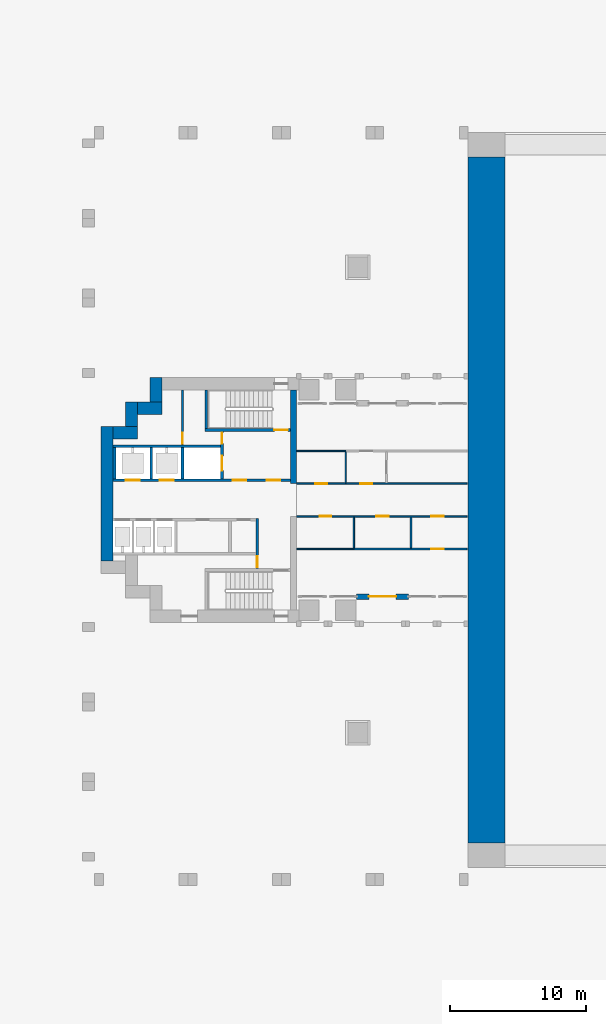
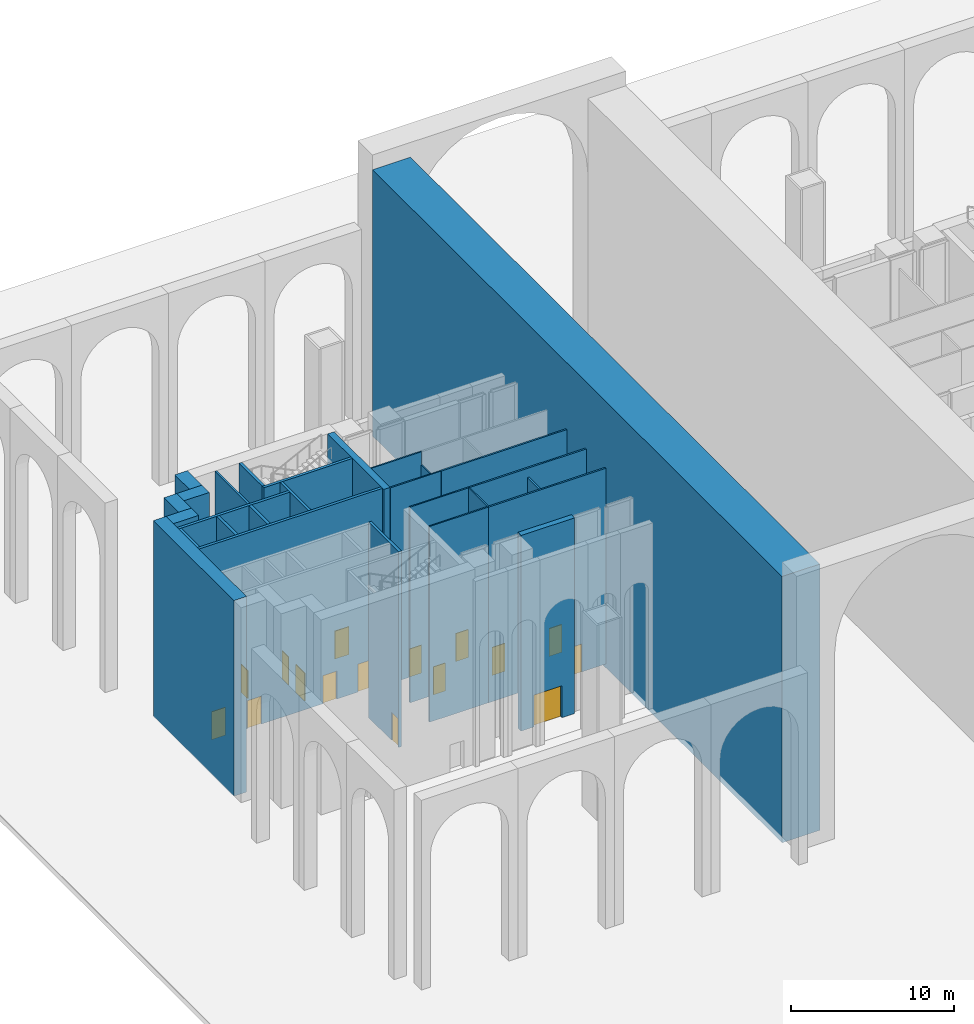
# One storey, part 6 of 18: 28 walls, 16 doors, 16 openings.
"""IFC4 building model written with IfcOpenShell, lengths in metres."""

from ifc_helpers import new_model, si_unit, direction, frame, frame_2d, origin, place, context, subcontext, project, spatial, rectangle, extrude, material, layer, layer_set, type_object, element, fill, save


model = new_model("IFC4")

# Units and contexts
model_context = context("Model", 3, precision=1e-05, world=origin(), true_north=direction((0.0, 1.0)))
body_context = subcontext(model_context, "Body", "Model", "MODEL_VIEW")
ifc_project = project(units=[si_unit("LENGTHUNIT", "METRE"), si_unit("AREAUNIT", "SQUARE_METRE"), si_unit("VOLUMEUNIT", "CUBIC_METRE"), si_unit("PLANEANGLEUNIT", "RADIAN"), si_unit("MASSUNIT", "GRAM", prefix="KILO")], contexts=[model_context])

# Site, building, storey
site_placement = place(None, origin())
site = spatial("IfcSite", under=ifc_project, at=site_placement, CompositionType="ELEMENT")
building_placement = place(site_placement, origin())
building = spatial("IfcBuilding", under=site, at=building_placement, Name="Perihelion Cross Residences", CompositionType="ELEMENT")
storey_placement = place(building_placement, origin())
storey = spatial("IfcBuildingStorey", under=building, at=storey_placement, Name="L00", CompositionType="ELEMENT", Elevation=0.0)

# Walls
ifc_material_1 = material(Name="Concrete C60/75", Category="concrete")
ifc_layer_1 = layer(ifc_material_1, 0.449951171875)
ifc_layer_set_1 = layer_set([ifc_layer_1], Name="Core wall, inner 450")
wall_type_1 = type_object("IfcWallType", Name="Core wall, inner 450", PredefinedType="SHEAR", material=ifc_layer_set_1)
wall_1_placement = place(storey_placement, frame((-21.824951171875, 1.199951171875, 0.0), z_axis=(0.0, 0.0, 1.0), x_axis=(0.0, 1.0, 0.0)))
element("IfcWall", 1, at=wall_1_placement, inside=storey, type_object=wall_type_1, Name="West core core wall, inner", PredefinedType="SHEAR", context=body_context, shape_type="SweptSolid", body=[
    extrude(rectangle(XDim=6.900146484375, YDim=0.449951171875, at=frame_2d((3.4501953125, 0.0))), origin(), (0.0, 0.0, 1.0), 14.699951171875),
])
ifc_material_2 = material(Name="Concrete C60/75", Category="concrete")
ifc_layer_2 = layer(ifc_material_2, 0.89990234375)
ifc_layer_set_2 = layer_set([ifc_layer_2], Name="Core wall, outer 900")
wall_type_2 = type_object("IfcWallType", Name="Core wall, outer 900", PredefinedType="SHEAR", material=ifc_layer_set_2)
wall_2_placement = place(storey_placement, frame((-35.550048828125, -4.5, 0.0), z_axis=(0.0, 0.0, 1.0), x_axis=(0.0, 1.0, 0.0)))
element("IfcWall", 2, at=wall_2_placement, inside=storey, type_object=wall_type_2, Name="West core core wall, outer", PredefinedType="SHEAR", context=body_context, shape_type="SweptSolid", body=[
    extrude(rectangle(XDim=9.89990234375, YDim=0.89990234375, at=frame_2d((4.949951171875, 0.0))), origin(), (0.0, 0.0, 1.0), 14.699951171875),
])
for number, where, z_axis, x_axis, name in (
    (3, (-35.10009765625, 4.949951171875, 0.0), (0.0, 0.0, 1.0), (1.0, 0.0, 0.0), "West core core wall, outer"),
    (4, (-33.75, 5.39990234375, 0.0), (0.0, 0.0, 1.0), (0.0, 1.0, 0.0), "West core core wall, outer"),
    (5, (-33.300048828125, 6.75, 0.0), (0.0, 0.0, 1.0), (1.0, 0.0, 0.0), "West core core wall, outer"),
    (6, (-31.949951171875, 7.199951171875, 0.0), (0.0, 0.0, 1.0), (0.0, 1.0, 0.0), "West core core wall, outer"),
):
    element("IfcWall", number, at=place(storey_placement, frame(where, z_axis=z_axis, x_axis=x_axis)), inside=storey, type_object=wall_type_2, Name=name, PredefinedType="SHEAR", context=body_context, shape_type="SweptSolid", body=[
        extrude(rectangle(XDim=1.800048828125, YDim=0.89990234375, at=frame_2d((0.89990234375, 0.0))), origin(), (0.0, 0.0, 1.0), 14.699951171875),
    ])

# Wall, opening, door
ifc_material_3 = material(Name="Concrete C40/50, bronze-clad", Category="concrete")
ifc_layer_3 = layer(ifc_material_3, 0.39990234375)
ifc_layer_set_3 = layer_set([ifc_layer_3], Name="Entrance portal wall 400")
wall_type_3 = type_object("IfcWallType", Name="Entrance portal wall 400", PredefinedType="SOLIDWALL", material=ifc_layer_set_3)
wall_3_placement = place(storey_placement, frame((-17.199951171875, -7.10009765625, 0.0), z_axis=(0.0, 0.0, 1.0), x_axis=(1.0, 0.0, 0.0)))
wall_3 = element("IfcWall", 7, at=wall_3_placement, inside=storey, type_object=wall_type_3, Name="Wall FW3 L00 arcade west bay 3 portal no. 2", PredefinedType="SOLIDWALL", context=body_context, shape_type="SweptSolid", body=[
    extrude(rectangle(XDim=3.800048828125, YDim=0.39990234375, at=frame_2d((1.89990234375, 0.0))), origin(), (0.0, 0.0, 1.0), 14.699951171875),
])
opening_1_placement = place(wall_3_placement, frame((0.89990234375, 0.0, 0.0)))
opening_1 = element("IfcOpeningElement", 8, at=opening_1_placement, cuts=wall_3, Name="Opening L00.E04", PredefinedType="OPENING", context=body_context, shape_type="SweptSolid", body=[
    extrude(rectangle(XDim=2.0, YDim=2.39990234375, at=frame_2d((1.0, 1.199951171875))), frame((0.0, 0.2099609375, 0.0), z_axis=(0.0, -1.0, 0.0), x_axis=(1.0, 0.0, 0.0)), (0.0, 0.0, 1.0), 0.419921875),
])
ifc_material_4 = material(Name="Bronze anodised aluminium, glazed", Category="aluminium")
door_type_1 = type_object("IfcDoorType", Name="Entrance door pair 2000 x 2400", OperationType="NOTDEFINED", PredefinedType="DOOR", material=ifc_material_4)
door_1_placement = place(opening_1_placement, origin())
door_1 = element("IfcDoor", 9, at=door_1_placement, inside=storey, type_object=door_type_1, Name="Door L00.E04 arcade west bay 3 entrance no. 1", OperationType="DOUBLE_DOOR_SINGLE_SWING", OverallHeight=2.39990234375, OverallWidth=2.0, PredefinedType="DOOR", context=body_context, shape_type="SweptSolid", body=[
    extrude(rectangle(XDim=2.0, YDim=2.39990234375, at=frame_2d((1.0, 1.199951171875))), frame((0.0, 0.02490234375, 0.0), z_axis=(0.0, -1.0, 0.0), x_axis=(1.0, 0.0, 0.0)), (0.0, 0.0, 1.0), 0.050048828125),
])
fill(opening_1, door_1)

ifc_material_5 = material(Name="Concrete C50/60", Category="concrete")
ifc_layer_4 = layer(ifc_material_5, 0.199951171875)
ifc_layer_set_4 = layer_set([ifc_layer_4], Name="Lobby wall 200")
wall_type_4 = type_object("IfcWallType", Name="Lobby wall 200", PredefinedType="SOLIDWALL", material=ifc_layer_set_4)
wall_4_placement = place(storey_placement, frame((-24.5, -5.050048828125, 0.0), z_axis=(0.0, 0.0, 1.0), x_axis=(0.0, 1.0, 0.0)))
wall_4 = element("IfcWall", 10, at=wall_4_placement, inside=storey, type_object=wall_type_4, Name="West core lobby wall", PredefinedType="SOLIDWALL", context=body_context, shape_type="SweptSolid", body=[
    extrude(rectangle(XDim=3.699951171875, YDim=0.199951171875, at=frame_2d((1.85009765625, 0.0))), origin(), (0.0, 0.0, 1.0), 14.699951171875),
])
opening_2_placement = place(wall_4_placement, frame((0.10009765625, 0.0, 0.0)))
opening_2 = element("IfcOpeningElement", 11, at=opening_2_placement, cuts=wall_4, Name="Opening L00.C31", PredefinedType="OPENING", context=body_context, shape_type="SweptSolid", body=[
    extrude(rectangle(XDim=0.800048828125, YDim=2.10009765625, at=frame_2d((0.39990234375, 1.050048828125))), frame((0.0, 0.10986328125, 0.0), z_axis=(0.0, -1.0, 0.0), x_axis=(1.0, 0.0, 0.0)), (0.0, 0.0, 1.0), 0.219970703125),
])
ifc_material_6 = material(Name="Steel, powder coated", Category="steel")
door_type_2 = type_object("IfcDoorType", Name="Riser door 800", OperationType="SINGLE_SWING_LEFT", PredefinedType="DOOR", material=ifc_material_6)
door_2_placement = place(opening_2_placement, origin())
door_2 = element("IfcDoor", 12, at=door_2_placement, inside=storey, type_object=door_type_2, Name="West core riser door", OperationType="SINGLE_SWING_LEFT", OverallHeight=2.10009765625, OverallWidth=0.800048828125, PredefinedType="DOOR", context=body_context, shape_type="SweptSolid", body=[
    extrude(rectangle(XDim=0.800048828125, YDim=2.10009765625, at=frame_2d((0.39990234375, 1.050048828125))), frame((0.0, 0.02490234375, 0.0), z_axis=(0.0, -1.0, 0.0), x_axis=(1.0, 0.0, 0.0)), (0.0, 0.0, 1.0), 0.050048828125),
])
fill(opening_2, door_2)

ifc_material_7 = material(Name="Plasterboard partition")
ifc_layer_5 = layer(ifc_material_7, 0.1201171875)
ifc_layer_set_5 = layer_set([ifc_layer_5], Name="Partition wall 120")
wall_type_5 = type_object("IfcWallType", Name="Partition wall 120", PredefinedType="PARTITIONING", material=ifc_layer_set_5)
wall_5_placement = place(storey_placement, frame((-18.0, 1.199951171875, 0.0), z_axis=(0.0, 0.0, 1.0), x_axis=(1.0, 0.0, 0.0)))
wall_5 = element("IfcWall", 13, at=wall_5_placement, inside=storey, type_object=wall_type_5, Name="Partition L00 W004", PredefinedType="PARTITIONING", context=body_context, shape_type="SweptSolid", body=[
    extrude(rectangle(XDim=8.919921875, YDim=0.1201171875, at=frame_2d((4.4599609375, 0.0))), origin(), (0.0, 0.0, 1.0), 14.699951171875),
])
opening_3_placement = place(wall_5_placement, frame((1.050048828125, 0.0, 0.0)))
opening_3 = element("IfcOpeningElement", 14, at=opening_3_placement, cuts=wall_5, Name="Opening L00.A08", PredefinedType="OPENING", context=body_context, shape_type="SweptSolid", body=[
    extrude(rectangle(XDim=0.89990234375, YDim=2.10009765625, at=frame_2d((0.449951171875, 1.050048828125))), frame((0.0, 0.070068359375, 0.0), z_axis=(0.0, -1.0, 0.0), x_axis=(1.0, 0.0, 0.0)), (0.0, 0.0, 1.0), 0.14013671875),
])
ifc_material_8 = material(Name="Timber door leaf", Category="wood")
door_type_3 = type_object("IfcDoorType", Name="Interior room door 900 x 2100", OperationType="SINGLE_SWING_LEFT", PredefinedType="DOOR", material=ifc_material_8)
door_3_placement = place(opening_3_placement, origin())
door_3 = element("IfcDoor", 15, at=door_3_placement, inside=storey, type_object=door_type_3, Name="Door L00.A08", OperationType="SINGLE_SWING_LEFT", OverallHeight=2.10009765625, OverallWidth=0.89990234375, PredefinedType="DOOR", context=body_context, shape_type="SweptSolid", body=[
    extrude(rectangle(XDim=0.89990234375, YDim=2.10009765625, at=frame_2d((0.449951171875, 1.050048828125))), frame((0.0, 0.02490234375, 0.0), z_axis=(0.0, -1.0, 0.0), x_axis=(1.0, 0.0, 0.0)), (0.0, 0.0, 1.0), 0.050048828125),
])
fill(opening_3, door_3)

# Wall, openings, doors
wall_6_placement = place(storey_placement, frame((-9.080078125, -1.199951171875, 0.0), z_axis=(0.0, 0.0, 1.0), x_axis=(-1.0, 0.0, 0.0)))
wall_6 = element("IfcWall", 16, at=wall_6_placement, inside=storey, type_object=wall_type_5, Name="Partition L00 W006", PredefinedType="PARTITIONING", context=body_context, shape_type="SweptSolid", body=[
    extrude(rectangle(XDim=8.31982421875, YDim=0.1201171875, at=frame_2d((4.159912109375, 0.0))), origin(), (0.0, 0.0, 1.0), 14.699951171875),
])
opening_4_placement = place(wall_6_placement, frame((1.719970703125, 0.0, 0.0)))
opening_4 = element("IfcOpeningElement", 17, at=opening_4_placement, cuts=wall_6, Name="Opening L00.A10", PredefinedType="OPENING", context=body_context, shape_type="SweptSolid", body=[
    extrude(rectangle(XDim=0.89990234375, YDim=2.10009765625, at=frame_2d((0.449951171875, 1.050048828125))), frame((0.0, 0.070068359375, 0.0), z_axis=(0.0, -1.0, 0.0), x_axis=(1.0, 0.0, 0.0)), (0.0, 0.0, 1.0), 0.14013671875),
])
opening_5_placement = place(wall_6_placement, frame((5.77001953125, 0.0, 0.0)))
opening_5 = element("IfcOpeningElement", 18, at=opening_5_placement, cuts=wall_6, Name="Opening L00.A11", PredefinedType="OPENING", context=body_context, shape_type="SweptSolid", body=[
    extrude(rectangle(XDim=0.89990234375, YDim=2.10009765625, at=frame_2d((0.449951171875, 1.050048828125))), frame((0.0, 0.070068359375, 0.0), z_axis=(0.0, -1.0, 0.0), x_axis=(1.0, 0.0, 0.0)), (0.0, 0.0, 1.0), 0.14013671875),
])
door_4_placement = place(opening_4_placement, origin())
door_4 = element("IfcDoor", 19, at=door_4_placement, inside=storey, type_object=door_type_3, Name="Door L00.A10", OperationType="SINGLE_SWING_RIGHT", OverallHeight=2.10009765625, OverallWidth=0.89990234375, PredefinedType="DOOR", context=body_context, shape_type="SweptSolid", body=[
    extrude(rectangle(XDim=0.89990234375, YDim=2.10009765625, at=frame_2d((0.449951171875, 1.050048828125))), frame((0.0, 0.02490234375, 0.0), z_axis=(0.0, -1.0, 0.0), x_axis=(1.0, 0.0, 0.0)), (0.0, 0.0, 1.0), 0.050048828125),
])
fill(opening_4, door_4)
door_5_placement = place(opening_5_placement, origin())
door_5 = element("IfcDoor", 20, at=door_5_placement, inside=storey, type_object=door_type_3, Name="Door L00.A11", OperationType="SINGLE_SWING_LEFT", OverallHeight=2.10009765625, OverallWidth=0.89990234375, PredefinedType="DOOR", context=body_context, shape_type="SweptSolid", body=[
    extrude(rectangle(XDim=0.89990234375, YDim=2.10009765625, at=frame_2d((0.449951171875, 1.050048828125))), frame((0.0, 0.02490234375, 0.0), z_axis=(0.0, -1.0, 0.0), x_axis=(1.0, 0.0, 0.0)), (0.0, 0.0, 1.0), 0.050048828125),
])
fill(opening_5, door_5)

# Wall, opening, door
wall_7_placement = place(storey_placement, frame((-17.39990234375, -3.60009765625, 0.0), z_axis=(0.0, 0.0, 1.0), x_axis=(1.0, 0.0, 0.0)))
wall_7 = element("IfcWall", 21, at=wall_7_placement, inside=storey, type_object=wall_type_5, Name="Partition L00 W018", PredefinedType="PARTITIONING", context=body_context, shape_type="SweptSolid", body=[
    extrude(rectangle(XDim=8.31982421875, YDim=0.1201171875, at=frame_2d((4.159912109375, 0.0))), origin(), (0.0, 0.0, 1.0), 14.699951171875),
])
opening_6_placement = place(wall_7_placement, frame((5.699951171875, 0.0, 0.0)))
opening_6 = element("IfcOpeningElement", 22, at=opening_6_placement, cuts=wall_7, Name="Opening L00.A13", PredefinedType="OPENING", context=body_context, shape_type="SweptSolid", body=[
    extrude(rectangle(XDim=0.89990234375, YDim=2.10009765625, at=frame_2d((0.449951171875, 1.050048828125))), frame((0.0, 0.070068359375, 0.0), z_axis=(0.0, -1.0, 0.0), x_axis=(1.0, 0.0, 0.0)), (0.0, 0.0, 1.0), 0.14013671875),
])
door_6_placement = place(opening_6_placement, origin())
door_6 = element("IfcDoor", 23, at=door_6_placement, inside=storey, type_object=door_type_3, Name="Door L00.A13", OperationType="SINGLE_SWING_LEFT", OverallHeight=2.10009765625, OverallWidth=0.89990234375, PredefinedType="DOOR", context=body_context, shape_type="SweptSolid", body=[
    extrude(rectangle(XDim=0.89990234375, YDim=2.10009765625, at=frame_2d((0.449951171875, 1.050048828125))), frame((0.0, 0.02490234375, 0.0), z_axis=(0.0, -1.0, 0.0), x_axis=(1.0, 0.0, 0.0)), (0.0, 0.0, 1.0), 0.050048828125),
])
fill(opening_6, door_6)

# Walls
wall_8_placement = place(storey_placement, frame((-13.199951171875, -3.5400390625, 0.0), z_axis=(0.0, 0.0, 1.0), x_axis=(0.0, 1.0, 0.0)))
element("IfcWall", 24, at=wall_8_placement, inside=storey, type_object=wall_type_5, Name="Partition L00 W020", PredefinedType="PARTITIONING", context=body_context, shape_type="SweptSolid", body=[
    extrude(rectangle(XDim=2.280029296875, YDim=0.1201171875, at=frame_2d((1.14013671875, 0.0))), origin(), (0.0, 0.0, 1.0), 14.007080078125),
])
ifc_material_9 = material(Name="Concrete C60/75", Category="concrete")
ifc_layer_6 = layer(ifc_material_9, 2.699951171875)
ifc_layer_set_6 = layer_set([ifc_layer_6], Name="Pier wall 2700 concrete C60/75")
wall_type_6 = type_object("IfcWallType", Name="Pier wall 2700 concrete C60/75", PredefinedType="SOLIDWALL", material=ifc_layer_set_6)
wall_9_placement = place(storey_placement, frame((-7.64990234375, -25.199951171875, -0.39990234375), z_axis=(0.0, 0.0, 1.0), x_axis=(0.0, 1.0, 0.0)))
element("IfcWall", 25, at=wall_9_placement, inside=storey, type_object=wall_type_6, Name="Wall SW11 L00 pier west", PredefinedType="SOLIDWALL", context=body_context, shape_type="SweptSolid", body=[
    extrude(rectangle(XDim=50.39990234375, YDim=2.699951171875, at=frame_2d((25.199951171875, 0.0))), origin(), (0.0, 0.0, 1.0), 20.0),
])

# Wall, opening, door
ifc_material_10 = material(Name="Fire-rated board on steel stud", Category="steel")
ifc_layer_7 = layer(ifc_material_10, 0.14990234375)
ifc_layer_set_7 = layer_set([ifc_layer_7], Name="Riser wall 150")
wall_type_7 = type_object("IfcWallType", Name="Riser wall 150", PredefinedType="PARTITIONING", material=ifc_layer_set_7)
wall_10_placement = place(storey_placement, frame((-30.0, 4.050048828125, 0.0), z_axis=(0.0, 0.0, 1.0), x_axis=(0.0, 1.0, 0.0)))
wall_10 = element("IfcWall", 26, at=wall_10_placement, inside=storey, type_object=wall_type_7, Name="West core riser wall", PredefinedType="PARTITIONING", context=body_context, shape_type="SweptSolid", body=[
    extrude(rectangle(XDim=4.050048828125, YDim=0.14990234375, at=frame_2d((2.02490234375, 0.0))), origin(), (0.0, 0.0, 1.0), 14.699951171875),
])
opening_7_placement = place(wall_10_placement, frame((0.10009765625, 0.0, 0.0)))
opening_7 = element("IfcOpeningElement", 27, at=opening_7_placement, cuts=wall_10, Name="Opening L00.C37", PredefinedType="OPENING", context=body_context, shape_type="SweptSolid", body=[
    extrude(rectangle(XDim=0.800048828125, YDim=2.10009765625, at=frame_2d((0.39990234375, 1.050048828125))), frame((0.0, 0.0849609375, 0.0), z_axis=(0.0, -1.0, 0.0), x_axis=(1.0, 0.0, 0.0)), (0.0, 0.0, 1.0), 0.169921875),
])
door_7_placement = place(opening_7_placement, origin())
door_7 = element("IfcDoor", 28, at=door_7_placement, inside=storey, type_object=door_type_2, Name="West core riser door", OperationType="SINGLE_SWING_LEFT", OverallHeight=2.10009765625, OverallWidth=0.800048828125, PredefinedType="DOOR", context=body_context, shape_type="SweptSolid", body=[
    extrude(rectangle(XDim=0.800048828125, YDim=2.10009765625, at=frame_2d((0.39990234375, 1.050048828125))), frame((0.0, 0.02490234375, 0.0), z_axis=(0.0, -1.0, 0.0), x_axis=(1.0, 0.0, 0.0)), (0.0, 0.0, 1.0), 0.050048828125),
])
fill(opening_7, door_7)

# Wall, openings, doors
ifc_material_11 = material(Name="Concrete C50/60", Category="concrete")
ifc_layer_8 = layer(ifc_material_11, 0.199951171875)
ifc_layer_set_8 = layer_set([ifc_layer_8], Name="Shaft wall 200")
wall_type_8 = type_object("IfcWallType", Name="Shaft wall 200", PredefinedType="SOLIDWALL", material=ifc_layer_set_8)
wall_11_placement = place(storey_placement, frame((-35.10009765625, 1.449951171875, 0.0), z_axis=(0.0, 0.0, 1.0), x_axis=(1.0, 0.0, 0.0)))
wall_11 = element("IfcWall", 29, at=wall_11_placement, inside=storey, type_object=wall_type_8, Name="West core shaft wall", PredefinedType="SOLIDWALL", context=body_context, shape_type="SweptSolid", body=[
    extrude(rectangle(XDim=13.050048828125, YDim=0.199951171875, at=frame_2d((6.52490234375, 0.0))), origin(), (0.0, 0.0, 1.0), 14.699951171875),
])
opening_8_placement = place(wall_11_placement, frame((3.449951171875, 0.0, 0.0)))
opening_8 = element("IfcOpeningElement", 30, at=opening_8_placement, cuts=wall_11, Name="Opening L00.C21", PredefinedType="OPENING", context=body_context, shape_type="SweptSolid", body=[
    extrude(rectangle(XDim=1.0, YDim=2.10009765625, at=frame_2d((0.5, 1.050048828125))), frame((0.0, 0.10986328125, 0.0), z_axis=(0.0, -1.0, 0.0), x_axis=(1.0, 0.0, 0.0)), (0.0, 0.0, 1.0), 0.219970703125),
])
opening_9_placement = place(wall_11_placement, frame((0.949951171875, 0.0, 0.0)))
opening_9 = element("IfcOpeningElement", 31, at=opening_9_placement, cuts=wall_11, Name="Opening L00.C24", PredefinedType="OPENING", context=body_context, shape_type="SweptSolid", body=[
    extrude(rectangle(XDim=1.0, YDim=2.10009765625, at=frame_2d((0.5, 1.050048828125))), frame((0.0, 0.10986328125, 0.0), z_axis=(0.0, -1.0, 0.0), x_axis=(1.0, 0.0, 0.0)), (0.0, 0.0, 1.0), 0.219970703125),
])
opening_10_placement = place(wall_11_placement, frame((11.300048828125, 0.0, 0.0)))
opening_10 = element("IfcOpeningElement", 32, at=opening_10_placement, cuts=wall_11, Name="Opening L00.C30", PredefinedType="OPENING", context=body_context, shape_type="SweptSolid", body=[
    extrude(rectangle(XDim=1.0, YDim=2.10009765625, at=frame_2d((0.5, 1.050048828125))), frame((0.0, 0.10986328125, 0.0), z_axis=(0.0, -1.0, 0.0), x_axis=(1.0, 0.0, 0.0)), (0.0, 0.0, 1.0), 0.219970703125),
])
opening_11_placement = place(wall_11_placement, frame((8.800048828125, 0.0, 0.0)))
opening_11 = element("IfcOpeningElement", 33, at=opening_11_placement, cuts=wall_11, Name="Opening L00.C33", PredefinedType="OPENING", context=body_context, shape_type="SweptSolid", body=[
    extrude(rectangle(XDim=1.0, YDim=2.10009765625, at=frame_2d((0.5, 1.050048828125))), frame((0.0, 0.10986328125, 0.0), z_axis=(0.0, -1.0, 0.0), x_axis=(1.0, 0.0, 0.0)), (0.0, 0.0, 1.0), 0.219970703125),
])
ifc_material_12 = material(Name="Stainless steel", Category="steel")
door_type_4 = type_object("IfcDoorType", Name="Landing door 1000", OperationType="DOUBLE_DOOR_SLIDING", PredefinedType="DOOR", material=ifc_material_12)
door_8_placement = place(opening_8_placement, origin())
door_8 = element("IfcDoor", 34, at=door_8_placement, inside=storey, type_object=door_type_4, Name="Landing door, West core shuttle lift 1", OperationType="DOUBLE_DOOR_SLIDING", OverallHeight=2.10009765625, OverallWidth=1.0, PredefinedType="DOOR", context=body_context, shape_type="SweptSolid", body=[
    extrude(rectangle(XDim=1.0, YDim=2.10009765625, at=frame_2d((0.5, 1.050048828125))), frame((0.0, 0.02490234375, 0.0), z_axis=(0.0, -1.0, 0.0), x_axis=(1.0, 0.0, 0.0)), (0.0, 0.0, 1.0), 0.050048828125),
])
fill(opening_8, door_8)
door_9_placement = place(opening_9_placement, origin())
door_9 = element("IfcDoor", 35, at=door_9_placement, inside=storey, type_object=door_type_4, Name="Landing door, West core shuttle lift 2", OperationType="DOUBLE_DOOR_SLIDING", OverallHeight=2.10009765625, OverallWidth=1.0, PredefinedType="DOOR", context=body_context, shape_type="SweptSolid", body=[
    extrude(rectangle(XDim=1.0, YDim=2.10009765625, at=frame_2d((0.5, 1.050048828125))), frame((0.0, 0.02490234375, 0.0), z_axis=(0.0, -1.0, 0.0), x_axis=(1.0, 0.0, 0.0)), (0.0, 0.0, 1.0), 0.050048828125),
])
fill(opening_9, door_9)
ifc_material_13 = material(Name="Steel, powder coated", Category="steel")
door_type_5 = type_object("IfcDoorType", Name="Lobby door 1000", OperationType="SINGLE_SWING_LEFT", PredefinedType="DOOR", material=ifc_material_13)
door_10_placement = place(opening_10_placement, origin())
door_10 = element("IfcDoor", 36, at=door_10_placement, inside=storey, type_object=door_type_5, Name="West core firefighting lobby door", OperationType="SINGLE_SWING_LEFT", OverallHeight=2.10009765625, OverallWidth=1.0, PredefinedType="DOOR", context=body_context, shape_type="SweptSolid", body=[
    extrude(rectangle(XDim=1.0, YDim=2.10009765625, at=frame_2d((0.5, 1.050048828125))), frame((0.0, 0.02490234375, 0.0), z_axis=(0.0, -1.0, 0.0), x_axis=(1.0, 0.0, 0.0)), (0.0, 0.0, 1.0), 0.050048828125),
])
fill(opening_10, door_10)
door_11_placement = place(opening_11_placement, origin())
door_11 = element("IfcDoor", 37, at=door_11_placement, inside=storey, type_object=door_type_5, Name="West core firefighting lobby door", OperationType="SINGLE_SWING_LEFT", OverallHeight=2.10009765625, OverallWidth=1.0, PredefinedType="DOOR", context=body_context, shape_type="SweptSolid", body=[
    extrude(rectangle(XDim=1.0, YDim=2.10009765625, at=frame_2d((0.5, 1.050048828125))), frame((0.0, 0.02490234375, 0.0), z_axis=(0.0, -1.0, 0.0), x_axis=(1.0, 0.0, 0.0)), (0.0, 0.0, 1.0), 0.050048828125),
])
fill(opening_11, door_11)

# Wall
wall_12_placement = place(storey_placement, frame((-35.10009765625, 3.949951171875, 0.0), z_axis=(0.0, 0.0, 1.0), x_axis=(1.0, 0.0, 0.0)))
element("IfcWall", 38, at=wall_12_placement, inside=storey, type_object=wall_type_8, Name="West core shaft wall", PredefinedType="SOLIDWALL", context=body_context, shape_type="SweptSolid", body=[
    extrude(rectangle(XDim=7.900146484375, YDim=0.199951171875, at=frame_2d((3.9501953125, 0.0))), origin(), (0.0, 0.0, 1.0), 14.699951171875),
])

# Wall, openings, doors
wall_13_placement = place(storey_placement, frame((-27.10009765625, 1.550048828125, 0.0), z_axis=(0.0, 0.0, 1.0), x_axis=(0.0, 1.0, 0.0)))
wall_13 = element("IfcWall", 39, at=wall_13_placement, inside=storey, type_object=wall_type_8, Name="West core shaft wall", PredefinedType="SOLIDWALL", context=body_context, shape_type="SweptSolid", body=[
    extrude(rectangle(XDim=3.5, YDim=0.199951171875, at=frame_2d((1.75, 0.0))), origin(), (0.0, 0.0, 1.0), 14.699951171875),
])
opening_12_placement = place(wall_13_placement, frame((0.60009765625, 0.0, 0.0)))
opening_12 = element("IfcOpeningElement", 40, at=opening_12_placement, cuts=wall_13, Name="Opening L00.C20", PredefinedType="OPENING", context=body_context, shape_type="SweptSolid", body=[
    extrude(rectangle(XDim=1.10009765625, YDim=2.10009765625, at=frame_2d((0.550048828125, 1.050048828125))), frame((0.0, 0.10986328125, 0.0), z_axis=(0.0, -1.0, 0.0), x_axis=(1.0, 0.0, 0.0)), (0.0, 0.0, 1.0), 0.219970703125),
])
opening_13_placement = place(wall_13_placement, frame((2.60009765625, 0.0, 0.0)))
opening_13 = element("IfcOpeningElement", 41, at=opening_13_placement, cuts=wall_13, Name="Opening L00.C34", PredefinedType="OPENING", context=body_context, shape_type="SweptSolid", body=[
    extrude(rectangle(XDim=0.800048828125, YDim=2.10009765625, at=frame_2d((0.39990234375, 1.050048828125))), frame((0.0, 0.10986328125, 0.0), z_axis=(0.0, -1.0, 0.0), x_axis=(1.0, 0.0, 0.0)), (0.0, 0.0, 1.0), 0.219970703125),
])
ifc_material_14 = material(Name="Stainless steel", Category="steel")
door_type_6 = type_object("IfcDoorType", Name="Landing door, firefighting lift 1100", OperationType="DOUBLE_DOOR_SLIDING", PredefinedType="DOOR", material=ifc_material_14)
door_12_placement = place(opening_12_placement, origin())
door_12 = element("IfcDoor", 42, at=door_12_placement, inside=storey, type_object=door_type_6, Name="Landing door, West core firefighting and service lift", OperationType="DOUBLE_DOOR_SLIDING", OverallHeight=2.10009765625, OverallWidth=1.10009765625, PredefinedType="DOOR", context=body_context, shape_type="SweptSolid", body=[
    extrude(rectangle(XDim=1.10009765625, YDim=2.10009765625, at=frame_2d((0.550048828125, 1.050048828125))), frame((0.0, 0.02490234375, 0.0), z_axis=(0.0, -1.0, 0.0), x_axis=(1.0, 0.0, 0.0)), (0.0, 0.0, 1.0), 0.050048828125),
])
fill(opening_12, door_12)
door_13_placement = place(opening_13_placement, origin())
door_13 = element("IfcDoor", 43, at=door_13_placement, inside=storey, type_object=door_type_2, Name="West core riser door", OperationType="SINGLE_SWING_LEFT", OverallHeight=2.10009765625, OverallWidth=0.800048828125, PredefinedType="DOOR", context=body_context, shape_type="SweptSolid", body=[
    extrude(rectangle(XDim=0.800048828125, YDim=2.10009765625, at=frame_2d((0.39990234375, 1.050048828125))), frame((0.0, 0.02490234375, 0.0), z_axis=(0.0, -1.0, 0.0), x_axis=(1.0, 0.0, 0.0)), (0.0, 0.0, 1.0), 0.050048828125),
])
fill(opening_13, door_13)

# Walls
for number, where, z_axis, x_axis, name in (
    (44, (-30.0, 1.550048828125, 0.0), (0.0, 0.0, 1.0), (0.0, 1.0, 0.0), "West core shaft wall"),
    (45, (-32.300048828125, 1.550048828125, 0.0), (0.0, 0.0, 1.0), (0.0, 1.0, 0.0), "West core shaft wall"),
    (46, (-35.0, 1.550048828125, 0.0), (0.0, 0.0, 1.0), (0.0, 1.0, 0.0), "West core shaft wall"),
):
    element("IfcWall", number, at=place(storey_placement, frame(where, z_axis=z_axis, x_axis=x_axis)), inside=storey, type_object=wall_type_8, Name=name, PredefinedType="SOLIDWALL", context=body_context, shape_type="SweptSolid", body=[
        extrude(rectangle(XDim=2.300048828125, YDim=0.199951171875, at=frame_2d((1.14990234375, 0.0))), origin(), (0.0, 0.0, 1.0), 14.699951171875),
    ])

# Wall, opening, door
ifc_material_15 = material(Name="Concrete C50/60", Category="concrete")
ifc_layer_9 = layer(ifc_material_15, 0.199951171875)
ifc_layer_set_9 = layer_set([ifc_layer_9], Name="Stair wall 200")
wall_type_9 = type_object("IfcWallType", Name="Stair wall 200", PredefinedType="SOLIDWALL", material=ifc_layer_set_9)
wall_14_placement = place(storey_placement, frame((-28.35009765625, 5.14990234375, 0.0), z_axis=(0.0, 0.0, 1.0), x_axis=(1.0, 0.0, 0.0)))
wall_14 = element("IfcWall", 47, at=wall_14_placement, inside=storey, type_object=wall_type_9, Name="West core stair wall", PredefinedType="SOLIDWALL", context=body_context, shape_type="SweptSolid", body=[
    extrude(rectangle(XDim=6.300048828125, YDim=0.199951171875, at=frame_2d((3.14990234375, 0.0))), origin(), (0.0, 0.0, 1.0), 14.699951171875),
])
opening_14_placement = place(wall_14_placement, frame((5.10009765625, 0.0, 0.0)))
opening_14 = element("IfcOpeningElement", 48, at=opening_14_placement, cuts=wall_14, Name="Opening L00.C28", PredefinedType="OPENING", context=body_context, shape_type="SweptSolid", body=[
    extrude(rectangle(XDim=1.0, YDim=2.10009765625, at=frame_2d((0.5, 1.050048828125))), frame((0.0, 0.10986328125, 0.0), z_axis=(0.0, -1.0, 0.0), x_axis=(1.0, 0.0, 0.0)), (0.0, 0.0, 1.0), 0.219970703125),
])
ifc_material_16 = material(Name="Steel, powder coated", Category="steel")
door_type_7 = type_object("IfcDoorType", Name="Stair door 1000", OperationType="SINGLE_SWING_LEFT", PredefinedType="DOOR", material=ifc_material_16)
door_14_placement = place(opening_14_placement, origin())
door_14 = element("IfcDoor", 49, at=door_14_placement, inside=storey, type_object=door_type_7, Name="West core stair door", OperationType="SINGLE_SWING_LEFT", OverallHeight=2.10009765625, OverallWidth=1.0, PredefinedType="DOOR", context=body_context, shape_type="SweptSolid", body=[
    extrude(rectangle(XDim=1.0, YDim=2.10009765625, at=frame_2d((0.5, 1.050048828125))), frame((0.0, 0.02490234375, 0.0), z_axis=(0.0, -1.0, 0.0), x_axis=(1.0, 0.0, 0.0)), (0.0, 0.0, 1.0), 0.050048828125),
])
fill(opening_14, door_14)

# Wall
wall_15_placement = place(storey_placement, frame((-28.25, 5.25, 0.0), z_axis=(0.0, 0.0, 1.0), x_axis=(0.0, 1.0, 0.0)))
element("IfcWall", 50, at=wall_15_placement, inside=storey, type_object=wall_type_9, Name="West core stair wall", PredefinedType="SOLIDWALL", context=body_context, shape_type="SweptSolid", body=[
    extrude(rectangle(XDim=2.85009765625, YDim=0.199951171875, at=frame_2d((1.425048828125, 0.0))), origin(), (0.0, 0.0, 1.0), 14.699951171875),
])

# Wall, opening, door
ifc_material_17 = material(Name="Plasterboard partition")
ifc_layer_10 = layer(ifc_material_17, 0.10009765625)
ifc_layer_set_10 = layer_set([ifc_layer_10], Name="Wet room wall 100")
wall_type_10 = type_object("IfcWallType", Name="Wet room wall 100", PredefinedType="PARTITIONING", material=ifc_layer_set_10)
wall_16_placement = place(storey_placement, frame((-21.60009765625, 1.199951171875, 0.0), z_axis=(0.0, 0.0, 1.0), x_axis=(1.0, 0.0, 0.0)))
wall_16 = element("IfcWall", 51, at=wall_16_placement, inside=storey, type_object=wall_type_10, Name="Partition L00 W005", PredefinedType="PARTITIONING", context=body_context, shape_type="SweptSolid", body=[
    extrude(rectangle(XDim=3.60009765625, YDim=0.10009765625, at=frame_2d((1.800048828125, 0.0))), origin(), (0.0, 0.0, 1.0), 14.699951171875),
])
opening_15_placement = place(wall_16_placement, frame((1.375, 0.0, 0.0)))
opening_15 = element("IfcOpeningElement", 52, at=opening_15_placement, cuts=wall_16, Name="Opening L00.A09", PredefinedType="OPENING", context=body_context, shape_type="SweptSolid", body=[
    extrude(rectangle(XDim=0.85009765625, YDim=2.10009765625, at=frame_2d((0.425048828125, 1.050048828125))), frame((0.0, 0.06005859375, 0.0), z_axis=(0.0, -1.0, 0.0), x_axis=(1.0, 0.0, 0.0)), (0.0, 0.0, 1.0), 0.1201171875),
])
ifc_material_18 = material(Name="Timber door leaf", Category="wood")
door_type_8 = type_object("IfcDoorType", Name="Interior bathroom door 850 x 2100", OperationType="SINGLE_SWING_LEFT", PredefinedType="DOOR", material=ifc_material_18)
door_15_placement = place(opening_15_placement, origin())
door_15 = element("IfcDoor", 53, at=door_15_placement, inside=storey, type_object=door_type_8, Name="Door L00.A09", OperationType="SINGLE_SWING_LEFT", OverallHeight=2.10009765625, OverallWidth=0.85009765625, PredefinedType="DOOR", context=body_context, shape_type="SweptSolid", body=[
    extrude(rectangle(XDim=0.85009765625, YDim=2.10009765625, at=frame_2d((0.425048828125, 1.050048828125))), frame((0.0, 0.02490234375, 0.0), z_axis=(0.0, -1.0, 0.0), x_axis=(1.0, 0.0, 0.0)), (0.0, 0.0, 1.0), 0.050048828125),
])
fill(opening_15, door_15)

wall_17_placement = place(storey_placement, frame((-17.39990234375, -1.199951171875, 0.0), z_axis=(0.0, 0.0, 1.0), x_axis=(-1.0, 0.0, 0.0)))
wall_17 = element("IfcWall", 54, at=wall_17_placement, inside=storey, type_object=wall_type_10, Name="Partition L00 W007", PredefinedType="PARTITIONING", context=body_context, shape_type="SweptSolid", body=[
    extrude(rectangle(XDim=4.2001953125, YDim=0.10009765625, at=frame_2d((2.10009765625, 0.0))), origin(), (0.0, 0.0, 1.0), 14.699951171875),
])
opening_16_placement = place(wall_17_placement, frame((1.675048828125, 0.0, 0.0)))
opening_16 = element("IfcOpeningElement", 55, at=opening_16_placement, cuts=wall_17, Name="Opening L00.A12", PredefinedType="OPENING", context=body_context, shape_type="SweptSolid", body=[
    extrude(rectangle(XDim=0.85009765625, YDim=2.10009765625, at=frame_2d((0.425048828125, 1.050048828125))), frame((0.0, 0.06005859375, 0.0), z_axis=(0.0, -1.0, 0.0), x_axis=(1.0, 0.0, 0.0)), (0.0, 0.0, 1.0), 0.1201171875),
])
door_16_placement = place(opening_16_placement, origin())
door_16 = element("IfcDoor", 56, at=door_16_placement, inside=storey, type_object=door_type_8, Name="Door L00.A12", OperationType="SINGLE_SWING_LEFT", OverallHeight=2.10009765625, OverallWidth=0.85009765625, PredefinedType="DOOR", context=body_context, shape_type="SweptSolid", body=[
    extrude(rectangle(XDim=0.85009765625, YDim=2.10009765625, at=frame_2d((0.425048828125, 1.050048828125))), frame((0.0, 0.02490234375, 0.0), z_axis=(0.0, -1.0, 0.0), x_axis=(1.0, 0.0, 0.0)), (0.0, 0.0, 1.0), 0.050048828125),
])
fill(opening_16, door_16)

# Walls
wall_18_placement = place(storey_placement, frame((-18.0, 3.60009765625, 0.0), z_axis=(0.0, 0.0, 1.0), x_axis=(-1.0, 0.0, 0.0)))
element("IfcWall", 57, at=wall_18_placement, inside=storey, type_object=wall_type_10, Name="Partition L00 W015", PredefinedType="PARTITIONING", context=body_context, shape_type="SweptSolid", body=[
    extrude(rectangle(XDim=3.60009765625, YDim=0.10009765625, at=frame_2d((1.800048828125, 0.0))), origin(), (0.0, 0.0, 1.0), 14.699951171875),
])
wall_19_placement = place(storey_placement, frame((-18.0, 1.260009765625, 0.0), z_axis=(0.0, 0.0, 1.0), x_axis=(0.0, 1.0, 0.0)))
element("IfcWall", 58, at=wall_19_placement, inside=storey, type_object=wall_type_10, Name="Partition L00 W017", PredefinedType="PARTITIONING", context=body_context, shape_type="SweptSolid", body=[
    extrude(rectangle(XDim=2.280029296875, YDim=0.10009765625, at=frame_2d((1.14013671875, 0.0))), origin(), (0.0, 0.0, 1.0), 13.719970703125),
])
wall_20_placement = place(storey_placement, frame((-21.60009765625, -3.60009765625, 0.0), z_axis=(0.0, 0.0, 1.0), x_axis=(1.0, 0.0, 0.0)))
element("IfcWall", 59, at=wall_20_placement, inside=storey, type_object=wall_type_10, Name="Partition L00 W019", PredefinedType="PARTITIONING", context=body_context, shape_type="SweptSolid", body=[
    extrude(rectangle(XDim=4.2001953125, YDim=0.10009765625, at=frame_2d((2.10009765625, 0.0))), origin(), (0.0, 0.0, 1.0), 14.699951171875),
])
wall_21_placement = place(storey_placement, frame((-17.39990234375, -3.5400390625, 0.0), z_axis=(0.0, 0.0, 1.0), x_axis=(0.0, 1.0, 0.0)))
element("IfcWall", 60, at=wall_21_placement, inside=storey, type_object=wall_type_10, Name="Partition L00 W021", PredefinedType="PARTITIONING", context=body_context, shape_type="SweptSolid", body=[
    extrude(rectangle(XDim=2.280029296875, YDim=0.10009765625, at=frame_2d((1.14013671875, 0.0))), origin(), (0.0, 0.0, 1.0), 14.699951171875),
])

save(model, "model.ifc")
